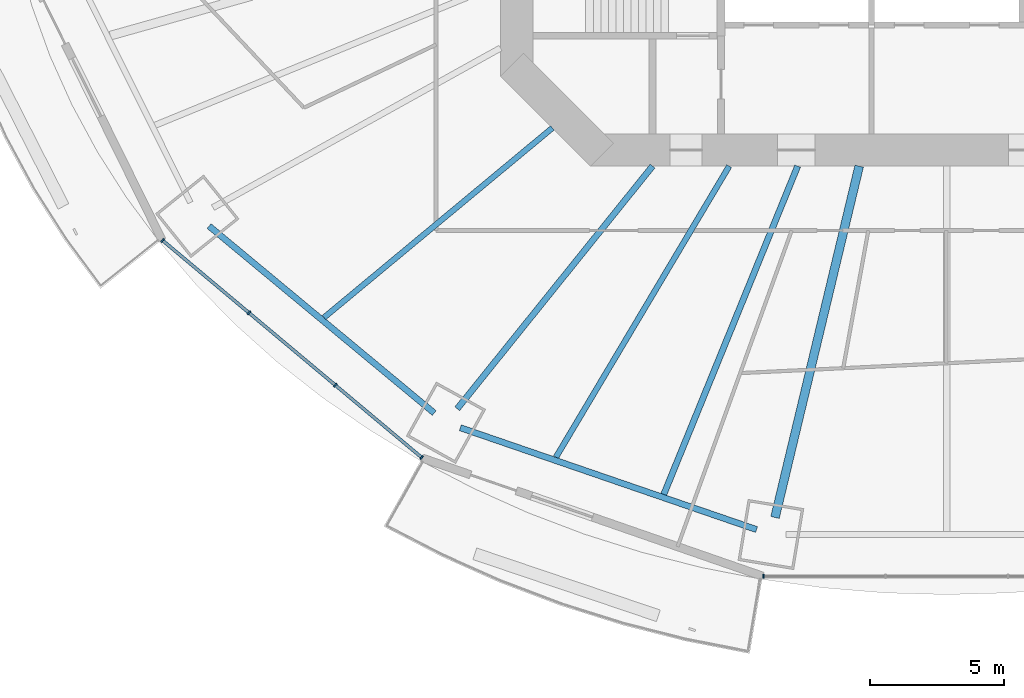
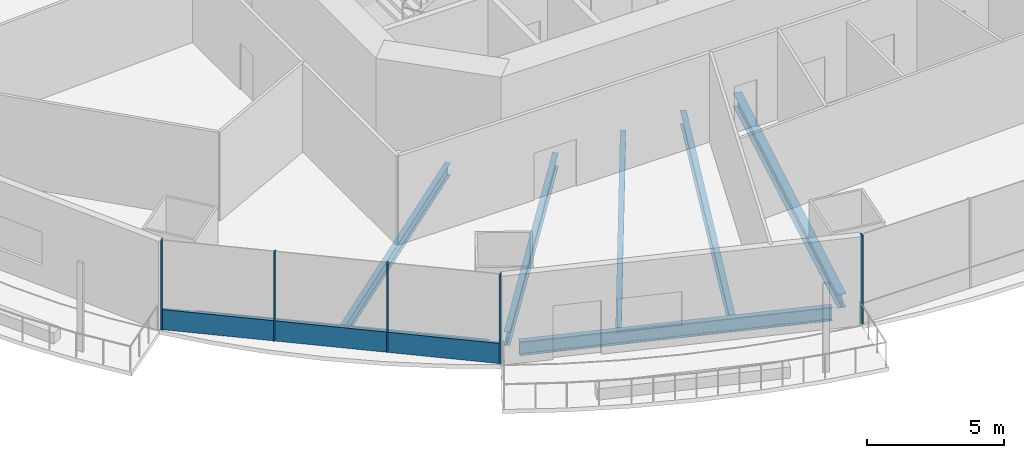
# One storey, part 2 of 22: 7 beams, 6 members, 2 elements without a shape of their own.
"""IFC4 building model written with IfcOpenShell, lengths in metres."""

from ifc_helpers import new_model, si_unit, direction, frame, origin, origin_2d, place, context, subcontext, project, spatial, rectangle, i_section, extrude, material, material_profile, profile_set, type_object, element, aggregate, save


model = new_model("IFC4")

# Units and contexts
model_context = context("Model", 3, precision=1e-05, world=origin(), true_north=direction((0.0, 1.0)))
body_context = subcontext(model_context, "Body", "Model", "MODEL_VIEW")
ifc_project = project(units=[si_unit("LENGTHUNIT", "METRE"), si_unit("AREAUNIT", "SQUARE_METRE"), si_unit("VOLUMEUNIT", "CUBIC_METRE"), si_unit("PLANEANGLEUNIT", "RADIAN"), si_unit("MASSUNIT", "GRAM", prefix="KILO")], contexts=[model_context])

# Site, building, storey
site_placement = place(None, origin())
site = spatial("IfcSite", under=ifc_project, at=site_placement, CompositionType="ELEMENT")
building_placement = place(site_placement, origin())
building = spatial("IfcBuilding", under=site, at=building_placement, Name="Marenthal Gate Tower", CompositionType="ELEMENT")
storey_placement = place(building_placement, frame((0.0, 0.0, 86.949951171875)))
storey = spatial("IfcBuildingStorey", under=building, at=storey_placement, Name="L17", CompositionType="ELEMENT", Elevation=86.949951171875)

# Curtain wall, members
ifc_material_1 = material(Name="Aluminium and glass", Category="aluminium")
curtain_wall_type = type_object("IfcCurtainWallType", Name="Curtain wall typical low", PredefinedType="NOTDEFINED", material=ifc_material_1)
curtain_wall_1_placement = place(storey_placement, origin())
curtain_wall_1 = element("IfcCurtainWall", 1, at=curtain_wall_1_placement, inside=storey, type_object=curtain_wall_type, Name="Curtain wall L17 bay 10", PredefinedType="NOTDEFINED")
ifc_material_2 = material(Name="Aluminium", Category="aluminium")
ifc_material_profile_1 = material_profile(ifc_material_2, rectangle(XDim=0.159912109375, YDim=0.06005859375, at=origin_2d()), Name="60x160 aluminium mullion")
ifc_profile_set_1 = profile_set([ifc_material_profile_1], Name="Aluminium")
member_type_1 = type_object("IfcMemberType", Name="Mullion 60x160 typical low", PredefinedType="MULLION", material=ifc_profile_set_1)
member_1_placement = place(storey_placement, frame((-29.170654296875, -16.363037109375, 0.0), z_axis=(0.0, 0.0, 1.0), x_axis=(0.642228281301, 0.766513427604, 0.0)))
member_1 = element("IfcMember", 2, at=member_1_placement, type_object=member_type_1, Name="Mullion L17 bay 10.1", PredefinedType="MULLION", context=body_context, shape_type="SweptSolid", body=[
    extrude(rectangle(XDim=0.159912109375, YDim=0.06005859375, at=origin_2d()), origin(), (0.0, 0.0, 1.0), 3.969970703125),
])
member_2_placement = place(storey_placement, frame((-25.95703125, -19.0556640625, 0.0), z_axis=(0.0, 0.0, 1.0), x_axis=(0.642228281301, 0.766513427604, 0.0)))
member_2 = element("IfcMember", 3, at=member_2_placement, type_object=member_type_1, Name="Mullion L17 bay 10.2", PredefinedType="MULLION", context=body_context, shape_type="SweptSolid", body=[
    extrude(rectangle(XDim=0.159912109375, YDim=0.06005859375, at=origin_2d()), origin(), (0.0, 0.0, 1.0), 3.969970703125),
])
member_3_placement = place(storey_placement, frame((-22.743408203125, -21.748291015625, 0.0), z_axis=(0.0, 0.0, 1.0), x_axis=(0.642228281301, 0.766513427604, 0.0)))
member_3 = element("IfcMember", 4, at=member_3_placement, type_object=member_type_1, Name="Mullion L17 bay 10.3", PredefinedType="MULLION", context=body_context, shape_type="SweptSolid", body=[
    extrude(rectangle(XDim=0.159912109375, YDim=0.06005859375, at=origin_2d()), origin(), (0.0, 0.0, 1.0), 3.969970703125),
])
member_4_placement = place(storey_placement, frame((-19.529541015625, -24.44091796875, 0.0), z_axis=(0.0, 0.0, 1.0), x_axis=(0.642228281301, 0.766513427604, 0.0)))
member_4 = element("IfcMember", 5, at=member_4_placement, type_object=member_type_1, Name="Mullion L17 bay 10.4", PredefinedType="MULLION", context=body_context, shape_type="SweptSolid", body=[
    extrude(rectangle(XDim=0.159912109375, YDim=0.06005859375, at=origin_2d()), origin(), (0.0, 0.0, 1.0), 3.969970703125),
])

# Curtain wall, member
curtain_wall_2_placement = place(storey_placement, origin())
curtain_wall_2 = element("IfcCurtainWall", 6, at=curtain_wall_2_placement, inside=storey, type_object=curtain_wall_type, Name="Curtain wall L17 bay 12", PredefinedType="NOTDEFINED")
member_5_placement = place(storey_placement, frame((-6.81982421875, -28.852783203125, 0.0), z_axis=(0.0, 0.0, 1.0), x_axis=(0.0, 1.0, 0.0)))
member_5 = element("IfcMember", 7, at=member_5_placement, type_object=member_type_1, Name="Mullion L17 bay 12.1", PredefinedType="MULLION", context=body_context, shape_type="SweptSolid", body=[
    extrude(rectangle(XDim=0.159912109375, YDim=0.06005859375, at=origin_2d()), origin(), (0.0, 0.0, 1.0), 3.969970703125),
])
aggregate(curtain_wall_2, [member_5])

# Member
ifc_material_3 = material(Name="Aluminium", Category="aluminium")
ifc_material_profile_2 = material_profile(ifc_material_3, rectangle(XDim=0.1201171875, YDim=0.89990234375, at=origin_2d()), Name="120x900 aluminium transom")
ifc_profile_set_2 = profile_set([ifc_material_profile_2], Name="Aluminium")
member_type_2 = type_object("IfcMemberType", Name="Transom 120x900 typical low", PredefinedType="USERDEFINED", material=ifc_profile_set_2)
member_6_placement = place(storey_placement, frame((-29.147705078125, -16.38232421875, 0.449951171875), z_axis=(0.766517626831, -0.642223269399, 0.0), x_axis=(0.642223269399, 0.766517626831, 0.0)))
member_6 = element("IfcMember", 8, at=member_6_placement, type_object=member_type_2, Name="Transom L17 bay 10", ObjectType="TRANSOM", PredefinedType="USERDEFINED", context=body_context, shape_type="SweptSolid", body=[
    extrude(rectangle(XDim=0.1201171875, YDim=0.89990234375, at=origin_2d()), origin(), (0.0, 0.0, 1.0), 12.517822265625),
])

aggregate(curtain_wall_1, [member_1, member_2, member_3, member_4, member_6])

# Beams
ifc_material_4 = material(Name="Steel S355", Category="steel")
ifc_material_profile_3 = material_profile(ifc_material_4, i_section(OverallWidth=0.2099609375, OverallDepth=0.535888671875, WebThickness=0.010986328125, FlangeThickness=0.017333984375, FilletRadius=0.0126953125, at=origin_2d()), Name="W530X101")
ifc_profile_set_3 = profile_set([ifc_material_profile_3], Name="Steel S355")
beam_type_1 = type_object("IfcBeamType", Name="W530X101 beam", PredefinedType="BEAM", material=ifc_profile_set_3)
beam_1_placement = place(storey_placement, frame((-23.164794921875, -19.23193359375, -0.447998046875), z_axis=(0.769390815443, 0.638778344273, 0.0), x_axis=(-0.638778344273, 0.769390815443, 0.0)))
element("IfcBeam", 9, at=beam_1_placement, inside=storey, type_object=beam_type_1, Name="BM-L17-31", PredefinedType="BEAM", context=body_context, shape_type="SweptSolid", body=[
    extrude(i_section(OverallWidth=0.2099609375, OverallDepth=0.535888671875, WebThickness=0.010986328125, FlangeThickness=0.017333984375, FilletRadius=0.0126953125, at=origin_2d()), origin(), (0.0, 0.0, 1.0), 11.041259765625),
])
ifc_material_5 = material(Name="Steel S355", Category="steel")
ifc_material_profile_4 = material_profile(ifc_material_5, i_section(OverallWidth=0.2119140625, OverallDepth=0.5439453125, WebThickness=0.01318359375, FlangeThickness=0.021240234375, FilletRadius=0.0126953125, at=origin_2d()), Name="W530X123")
ifc_profile_set_4 = profile_set([ifc_material_profile_4], Name="Steel S355")
beam_type_2 = type_object("IfcBeamType", Name="W530X123 beam", PredefinedType="BEAM", material=ifc_profile_set_4)
beam_2_placement = place(storey_placement, frame((-14.539794921875, -24.431396484375, -0.451904296875), z_axis=(0.511416092882, 0.859333218223, 0.0), x_axis=(-0.859333218223, 0.511416092882, 0.0)))
element("IfcBeam", 10, at=beam_2_placement, inside=storey, type_object=beam_type_2, Name="BM-L17-32", PredefinedType="BEAM", context=body_context, shape_type="SweptSolid", body=[
    extrude(i_section(OverallWidth=0.2119140625, OverallDepth=0.5439453125, WebThickness=0.01318359375, FlangeThickness=0.021240234375, FilletRadius=0.0126953125, at=origin_2d()), origin(), (0.0, 0.0, 1.0), 12.604248046875),
])
ifc_material_6 = material(Name="Steel S355", Category="steel")
ifc_material_profile_5 = material_profile(ifc_material_6, i_section(OverallWidth=0.22900390625, OverallDepth=0.612060546875, WebThickness=0.011962890625, FlangeThickness=0.01953125, FilletRadius=0.0126953125, at=origin_2d()), Name="W610X125")
ifc_profile_set_5 = profile_set([ifc_material_profile_5], Name="Steel S355")
beam_type_3 = type_object("IfcBeamType", Name="W610X125 beam", PredefinedType="BEAM", material=ifc_profile_set_5)
beam_3_placement = place(storey_placement, frame((-18.210693359375, -22.626708984375, -0.48583984375), z_axis=(0.626999737325, 0.779019466634, 0.0), x_axis=(-0.779019466634, 0.626999737325, 0.0)))
element("IfcBeam", 11, at=beam_3_placement, inside=storey, type_object=beam_type_3, Name="BM-L17-11", PredefinedType="BEAM", context=body_context, shape_type="SweptSolid", body=[
    extrude(i_section(OverallWidth=0.22900390625, OverallDepth=0.612060546875, WebThickness=0.011962890625, FlangeThickness=0.01953125, FilletRadius=0.0126953125, at=origin_2d()), origin(), (0.0, 0.0, 1.0), 11.587158203125),
])
beam_4_placement = place(storey_placement, frame((-10.52734375, -25.811279296875, -0.48583984375), z_axis=(0.377657332002, 0.925945430134, 0.0), x_axis=(-0.925945430134, 0.377657332002, 0.0)))
element("IfcBeam", 12, at=beam_4_placement, inside=storey, type_object=beam_type_3, Name="BM-L17-33", PredefinedType="BEAM", context=body_context, shape_type="SweptSolid", body=[
    extrude(i_section(OverallWidth=0.22900390625, OverallDepth=0.612060546875, WebThickness=0.011962890625, FlangeThickness=0.01953125, FilletRadius=0.0126953125, at=origin_2d()), origin(), (0.0, 0.0, 1.0), 13.187744140625),
])
beam_5_placement = place(storey_placement, frame((-27.4404296875, -15.8310546875, -0.48583984375), z_axis=(0.769402188258, -0.638764645784, 0.0), x_axis=(0.638764645784, 0.769402188258, 0.0)))
element("IfcBeam", 13, at=beam_5_placement, inside=storey, type_object=beam_type_3, Name="BM-L17-50", PredefinedType="BEAM", context=body_context, shape_type="SweptSolid", body=[
    extrude(i_section(OverallWidth=0.22900390625, OverallDepth=0.612060546875, WebThickness=0.011962890625, FlangeThickness=0.01953125, FilletRadius=0.0126953125, at=origin_2d()), origin(), (0.0, 0.0, 1.0), 10.884033203125),
])
beam_6_placement = place(storey_placement, frame((-18.09326171875, -23.330810546875, -0.48583984375), z_axis=(0.945652773526, -0.32517815413, 0.0), x_axis=(0.32517815413, 0.945652773526, 0.0)))
element("IfcBeam", 14, at=beam_6_placement, inside=storey, type_object=beam_type_3, Name="BM-L17-51", PredefinedType="BEAM", context=body_context, shape_type="SweptSolid", body=[
    extrude(i_section(OverallWidth=0.22900390625, OverallDepth=0.612060546875, WebThickness=0.011962890625, FlangeThickness=0.01953125, FilletRadius=0.0126953125, at=origin_2d()), origin(), (0.0, 0.0, 1.0), 11.65087890625),
])
ifc_material_7 = material(Name="Steel S355", Category="steel")
ifc_material_profile_6 = material_profile(ifc_material_7, i_section(OverallWidth=0.324951171875, OverallDepth=0.612060546875, WebThickness=0.0126953125, FlangeThickness=0.01904296875, FilletRadius=0.0126953125, at=origin_2d()), Name="W610X155")
ifc_profile_set_6 = profile_set([ifc_material_profile_6], Name="Steel S355")
beam_type_4 = type_object("IfcBeamType", Name="W610X155 beam", PredefinedType="BEAM", material=ifc_profile_set_6)
beam_7_placement = place(storey_placement, frame((-6.389404296875, -26.668212890625, -0.48583984375), z_axis=(0.233003942161, 0.972475790412, 0.0), x_axis=(-0.972475790412, 0.233003942161, 0.0)))
element("IfcBeam", 15, at=beam_7_placement, inside=storey, type_object=beam_type_4, Name="BM-L17-12", PredefinedType="BEAM", context=body_context, shape_type="SweptSolid", body=[
    extrude(i_section(OverallWidth=0.324951171875, OverallDepth=0.612060546875, WebThickness=0.0126953125, FlangeThickness=0.01904296875, FilletRadius=0.0126953125, at=origin_2d()), origin(), (0.0, 0.0, 1.0), 13.43798828125),
])

save(model, "model.ifc")
